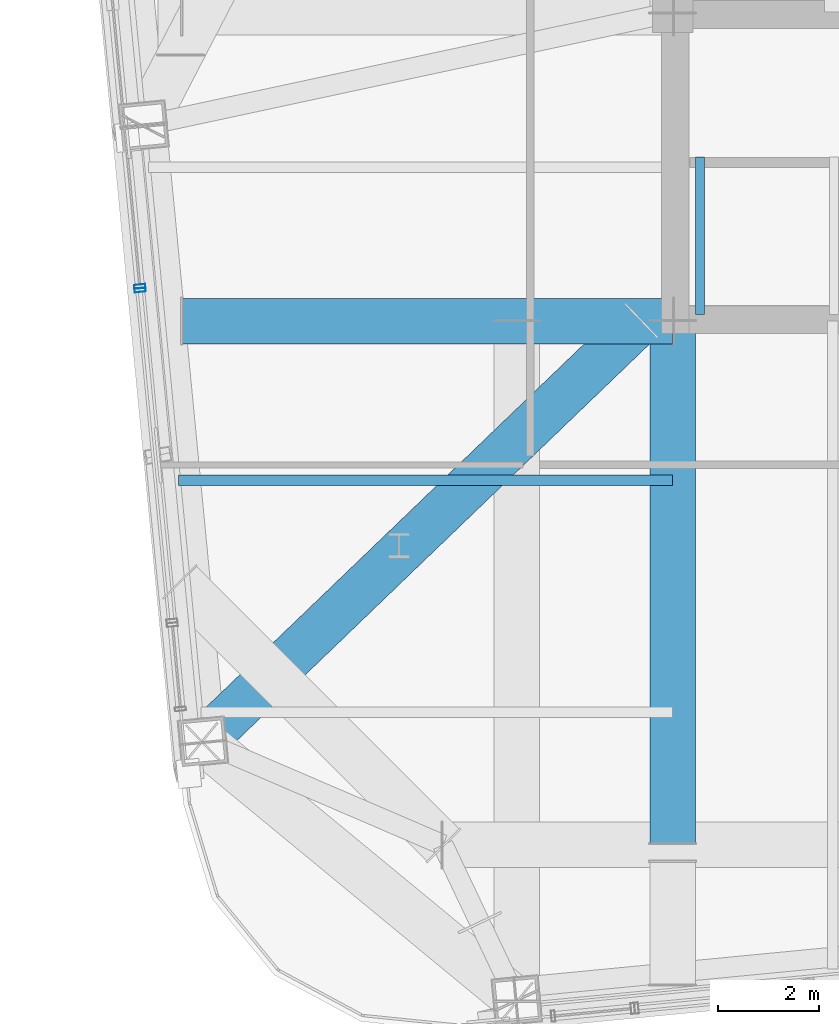
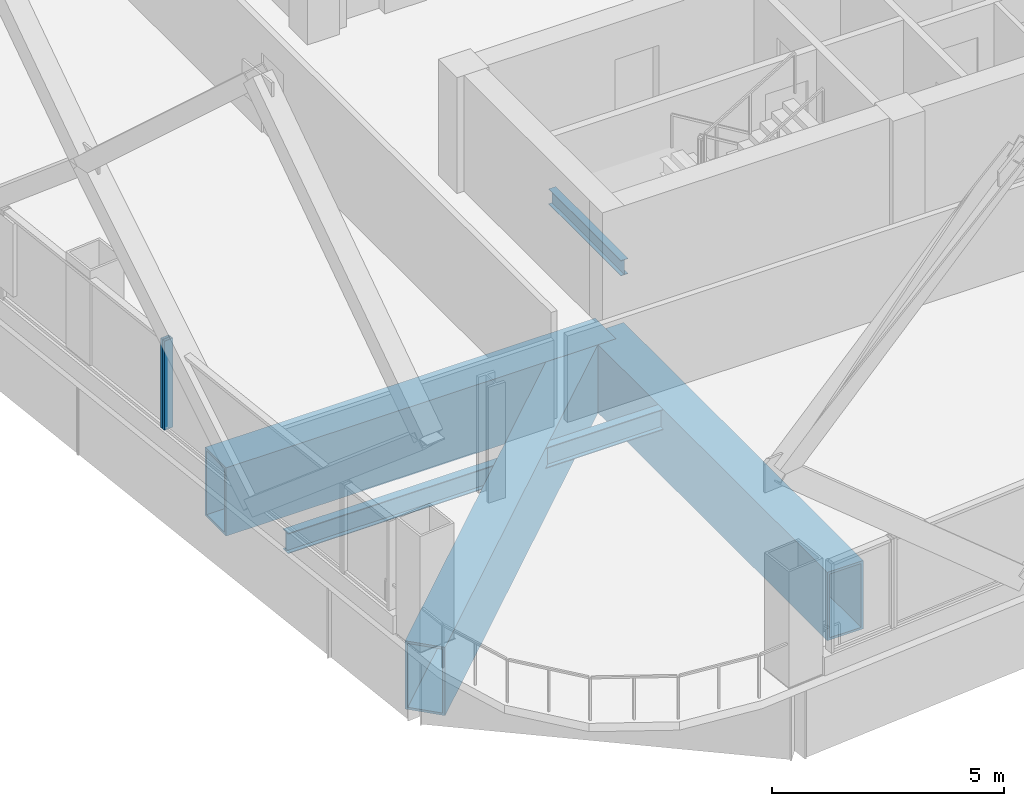
# One storey, part 5 of 42: 5 beams, 2 members, 2 elements without a shape of their own.
"""IFC4 building model written with IfcOpenShell, lengths in metres."""

from ifc_helpers import new_model, si_unit, direction, frame, origin, origin_2d, place, context, subcontext, project, spatial, hollow_rectangle, i_section, extrude, material, layer, layer_set, material_profile, profile_set, type_object, element, aggregate, save


model = new_model("IFC4")

# Units and contexts
model_context = context("Model", 3, precision=1e-05, world=origin(), true_north=direction((0.0, 1.0)))
body_context = subcontext(model_context, "Body", "Model", "MODEL_VIEW")
ifc_project = project(units=[si_unit("LENGTHUNIT", "METRE"), si_unit("AREAUNIT", "SQUARE_METRE"), si_unit("VOLUMEUNIT", "CUBIC_METRE"), si_unit("PLANEANGLEUNIT", "RADIAN"), si_unit("MASSUNIT", "GRAM", prefix="KILO")], contexts=[model_context])

# Site, building, storey
site_placement = place(None, origin())
site = spatial("IfcSite", under=ifc_project, at=site_placement, CompositionType="ELEMENT")
building_placement = place(site_placement, origin())
building = spatial("IfcBuilding", under=site, at=building_placement, Name="Qhalaya Broadcast Tower", CompositionType="ELEMENT")
storey_placement = place(building_placement, frame((0.0, 0.0, 69.449951171875)))
storey = spatial("IfcBuildingStorey", under=building, at=storey_placement, Name="L19", CompositionType="ELEMENT", Elevation=69.449951171875)

# Beams
ifc_material_1 = material(Name="Structural Steel ASTM A572 Grade 50", Category="steel")
ifc_material_profile_1 = material_profile(ifc_material_1, hollow_rectangle(XDim=0.89990234375, YDim=1.800048828125, WallThickness=0.06005859375, at=origin_2d()), Name="BOX 900x1800x60")
ifc_profile_set_1 = profile_set([ifc_material_profile_1], Name="Structural Steel ASTM A572 Grade 50")
beam_type_1 = type_object("IfcBeamType", Name="Block Cantilever Transfer Box Girder TG1", PredefinedType="USERDEFINED", material=ifc_profile_set_1)
beam_1_placement = place(storey_placement, frame((-9.375, -19.090087890625, -1.119873046875), z_axis=(0.0, 1.0, 0.0), x_axis=(-1.0, 0.0, 0.0)))
element("IfcBeam", 1, at=beam_1_placement, inside=storey, type_object=beam_type_1, Name="L19 TG1 L19-TGISW-1", ObjectType="GIRDER", PredefinedType="USERDEFINED", context=body_context, shape_type="SweptSolid", body=[
    extrude(hollow_rectangle(XDim=0.89990234375, YDim=1.800048828125, WallThickness=0.06005859375, at=origin_2d()), origin(), (0.0, 0.0, 1.0), 10.340087890625),
])
beam_2_placement = place(storey_placement, frame((-19.090087890625, -8.75, -1.119873046875), z_axis=(1.0, 0.0, 0.0), x_axis=(0.0, 1.0, 0.0)))
element("IfcBeam", 2, at=beam_2_placement, inside=storey, type_object=beam_type_1, Name="L19 TG1 L19-TGIY1W-1", ObjectType="GIRDER", PredefinedType="USERDEFINED", context=body_context, shape_type="SweptSolid", body=[
    extrude(hollow_rectangle(XDim=0.89990234375, YDim=1.800048828125, WallThickness=0.06005859375, at=origin_2d()), origin(), (0.0, 0.0, 1.0), 9.715087890625),
])
beam_3_placement = place(storey_placement, frame((-10.009521484375, -8.75, -1.119873046875), z_axis=(-0.721128961669, -0.692800852079, 0.0), x_axis=(0.692800852079, -0.721128961669, 0.0)))
element("IfcBeam", 3, at=beam_3_placement, inside=storey, type_object=beam_type_1, Name="L19 Continuous Cantilever Transfer Box Girder 16", ObjectType="GIRDER", PredefinedType="USERDEFINED", context=body_context, shape_type="SweptSolid", body=[
    extrude(hollow_rectangle(XDim=0.89990234375, YDim=1.800048828125, WallThickness=0.06005859375, at=origin_2d()), origin(), (0.0, 0.0, 1.0), 12.03125),
])
ifc_material_2 = material(Name="Structural Steel ASTM A992 Grade 50", Category="steel")
ifc_material_profile_2 = material_profile(ifc_material_2, i_section(OverallWidth=0.2099609375, OverallDepth=0.535888671875, WebThickness=0.010986328125, FlangeThickness=0.017333984375, at=origin_2d()), Name="W21X68")
ifc_profile_set_2 = profile_set([ifc_material_profile_2], Name="Structural Steel ASTM A992 Grade 50")
beam_type_2 = type_object("IfcBeamType", Name="Composite Floor Joist J02", PredefinedType="JOIST", material=ifc_profile_set_2)
beam_4_placement = place(storey_placement, frame((-19.164794921875, -11.89990234375, -0.488037109375), z_axis=(1.0, 0.0, 0.0), x_axis=(0.0, 1.0, 0.0)))
element("IfcBeam", 4, at=beam_4_placement, inside=storey, type_object=beam_type_2, Name="L19 J02 L19-JWE2W-1", PredefinedType="JOIST", context=body_context, shape_type="SweptSolid", body=[
    extrude(i_section(OverallWidth=0.2099609375, OverallDepth=0.535888671875, WebThickness=0.010986328125, FlangeThickness=0.017333984375, at=origin_2d()), origin(), (0.0, 0.0, 1.0), 9.789794921875),
])

# Curtain wall, member
ifc_material_3 = material(Name="Solar-Control Low-E Triple Glazing", Category="glass")
ifc_layer_1 = layer(ifc_material_3, 0.219970703125, Name="Solar-Control Low-E Triple Glazing")
ifc_layer_set_1 = layer_set([ifc_layer_1], Name="Solar-Control Low-E Triple Glazing")
curtain_wall_type_1 = type_object("IfcCurtainWallType", Name="Even-Block 4-Storey Double-Module Curtain Wall CW-03", PredefinedType="NOTDEFINED", material=ifc_layer_set_1)
curtain_wall_1_placement = place(storey_placement, origin())
curtain_wall_1 = element("IfcCurtainWall", 5, at=curtain_wall_1_placement, inside=storey, type_object=curtain_wall_type_1, Name="L19 Unitised Curtain Wall L19-CW-W5", PredefinedType="NOTDEFINED")
ifc_material_4 = material(Name="Anodised Aluminium 6063-T6", Category="aluminium")
ifc_material_profile_3 = material_profile(ifc_material_4, hollow_rectangle(XDim=0.074951171875, YDim=0.219970703125, WallThickness=0.00390625, at=origin_2d()), Name="ALU-MUL 75x220x4")
ifc_profile_set_3 = profile_set([ifc_material_profile_3], Name="Anodised Aluminium 6063-T6")
member_type = type_object("IfcMemberType", Name="Unitised Curtain-Wall Mullion M01", PredefinedType="MULLION", material=ifc_profile_set_3)
member_1_placement = place(storey_placement, frame((-19.936279296875, -8.06103515625, 0.47998046875), z_axis=(0.0, 0.0, 1.0), x_axis=(0.095835542837, -0.995397181395, 0.0)))
member_1 = element("IfcMember", 6, at=member_1_placement, type_object=member_type, Name="CW-03 mullion 2", PredefinedType="MULLION", context=body_context, shape_type="SweptSolid", body=[
    extrude(hollow_rectangle(XDim=0.074951171875, YDim=0.219970703125, WallThickness=0.00390625, at=origin_2d()), origin(), (0.0, 0.0, 1.0), 2.35009765625),
])
aggregate(curtain_wall_1, [member_1])

ifc_material_5 = material(Name="Fired Architectural Terracotta", Category="masonry")
ifc_layer_2 = layer(ifc_material_5, 0.219970703125, Name="Fired Architectural Terracotta")
ifc_layer_set_2 = layer_set([ifc_layer_2], Name="Fired Architectural Terracotta")
curtain_wall_type_2 = type_object("IfcCurtainWallType", Name="Block-Cap Unitised Terracotta Spandrel Wall CW-07", PredefinedType="NOTDEFINED", material=ifc_layer_set_2)
curtain_wall_2_placement = place(storey_placement, origin())
curtain_wall_2 = element("IfcCurtainWall", 7, at=curtain_wall_2_placement, inside=storey, type_object=curtain_wall_type_2, Name="L19 Unitised Curtain Wall L19-CW-W6", PredefinedType="NOTDEFINED")
member_2_placement = place(storey_placement, frame((-19.928955078125, -8.1357421875, 0.47998046875), z_axis=(0.0, 0.0, 1.0), x_axis=(0.095857967914, -0.995395022083, 0.0)))
member_2 = element("IfcMember", 8, at=member_2_placement, type_object=member_type, Name="CW-07 mullion 1", PredefinedType="MULLION", context=body_context, shape_type="SweptSolid", body=[
    extrude(hollow_rectangle(XDim=0.074951171875, YDim=0.219970703125, WallThickness=0.00390625, at=origin_2d()), origin(), (0.0, 0.0, 1.0), 2.35009765625),
])
aggregate(curtain_wall_2, [member_2])

# Beam
ifc_material_profile_4 = material_profile(ifc_material_2, i_section(OverallWidth=0.177978515625, OverallDepth=0.406005859375, WebThickness=0.0078125, FlangeThickness=0.0126953125, at=origin_2d()), Name="W16X40")
ifc_profile_set_4 = profile_set([ifc_material_profile_4], Name="Structural Steel ASTM A992 Grade 50")
beam_type_3 = type_object("IfcBeamType", Name="Upper Perimeter Spandrel Beam SP2", PredefinedType="SPANDREL", material=ifc_profile_set_4)
beam_5_placement = place(storey_placement, frame((-8.830078125, -8.6201171875, 1.1220703125), z_axis=(0.0, 1.0, 0.0), x_axis=(-1.0, 0.0, 0.0)))
element("IfcBeam", 9, at=beam_5_placement, inside=storey, type_object=beam_type_3, Name="L19 ST-2 Half-Landing Bearer Beam 1", PredefinedType="SPANDREL", context=body_context, shape_type="SweptSolid", body=[
    extrude(i_section(OverallWidth=0.177978515625, OverallDepth=0.406005859375, WebThickness=0.0078125, FlangeThickness=0.0126953125, at=origin_2d()), origin(), (0.0, 0.0, 1.0), 3.1201171875),
])

save(model, "model.ifc")
